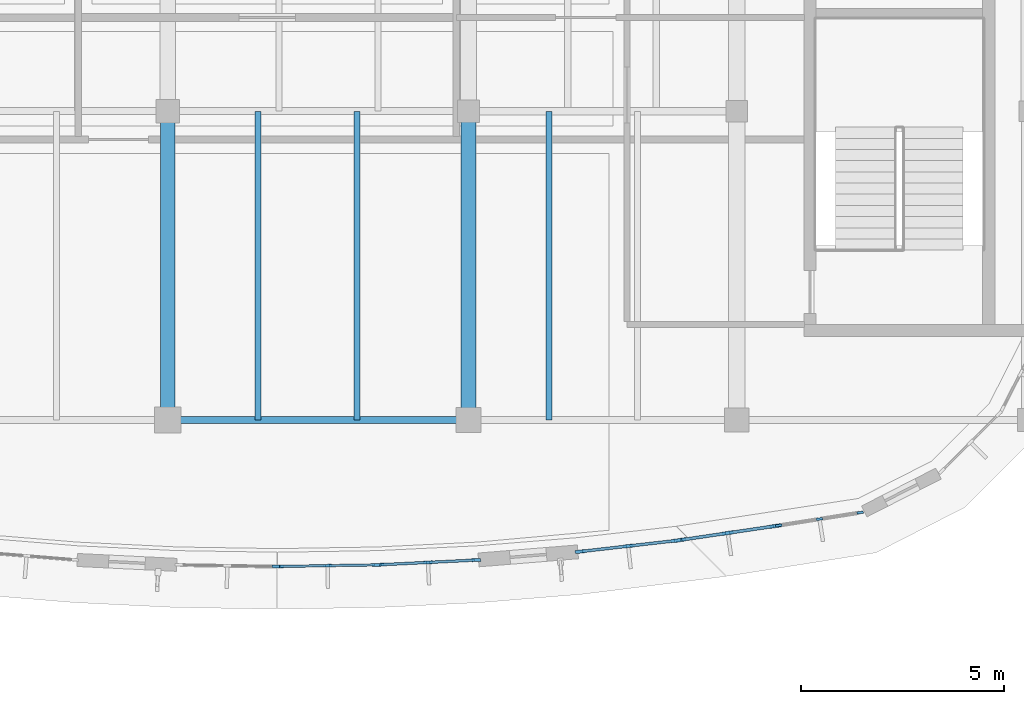
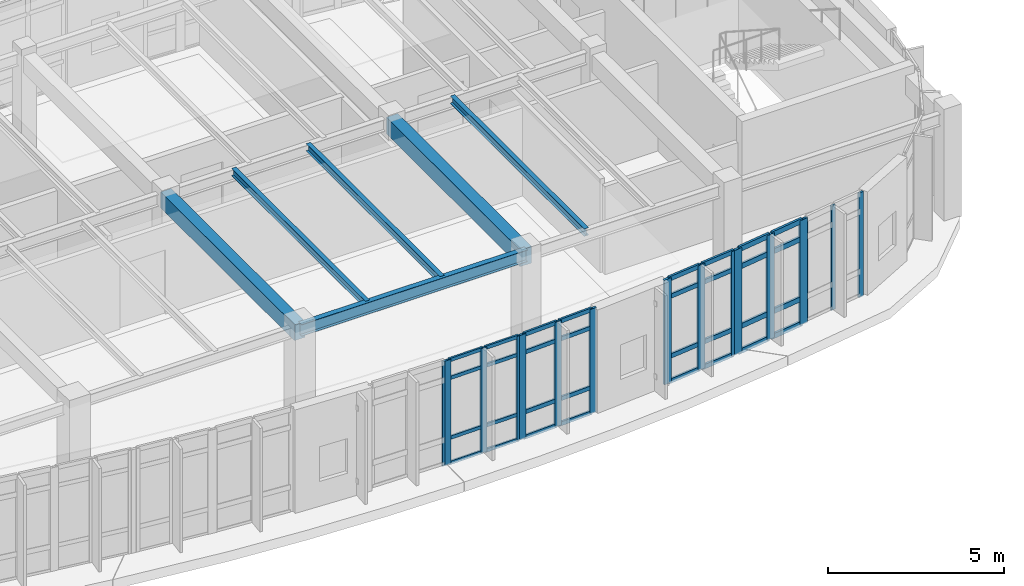
# One storey, part 29 of 111: 48 members, 6 beams, 6 elements without a shape of their own.
"""IFC4 building model written with IfcOpenShell, lengths in metres."""

import ifcopenshell
import ifcopenshell.guid

model = None  # the IFC model being written
_history = None  # IfcOwnerHistory: only IFC2X3 demands one
_inside = {}  # id of a spatial element -> (the spatial element, [elements in it])
_under = {}  # id of a project, library or spatial element -> (it, [spatial elements below it])
_declared = {}  # id of a project -> (the project, [libraries it declares])
_typed = {}  # id of a type object -> (the type object, [elements of that type])
_made_of = {}  # id of a material, layer set ... -> (it, [elements and type objects made of it])


def new_model(schema):
    """Start an empty IFC model of exactly this schema.

    Asked for "IFC4X3", IfcOpenShell would pick the latest addendum, in which some entities
    have other attributes; the version numbers below select the first issue.
    IFC2X3 requires an IfcOwnerHistory on every rooted entity: one is made here for all.
    """
    global model, _history
    if schema == "IFC4X3":
        model = ifcopenshell.file(schema_version=(4, 3, 0, 0))
    else:
        model = ifcopenshell.file(schema=schema)
    _inside.clear()
    _under.clear()
    _declared.clear()
    _typed.clear()
    _made_of.clear()
    _history = None
    if model.schema == "IFC2X3":
        org = make("IfcOrganization", Name="unknown")
        user = make(
            "IfcPersonAndOrganization",
            ThePerson=make("IfcPerson", FamilyName="unknown"),
            TheOrganization=org,
        )
        app = make(
            "IfcApplication",
            ApplicationDeveloper=org,
            Version="unknown",
            ApplicationFullName="unknown",
            ApplicationIdentifier="unknown",
        )
        _history = make(
            "IfcOwnerHistory",
            OwningUser=user,
            OwningApplication=app,
            ChangeAction="ADDED",
            CreationDate=0,
        )
    return model


def make(cls, **values):
    """One entity of the class cls with the attributes given. An attribute that is None is left unset."""
    return model.create_entity(
        cls, **{name: value for name, value in values.items() if value is not None}
    )


def rooted(cls, **values):
    """An entity with a GlobalId (a new one), such as an element, a storey or a relation."""
    return make(cls, GlobalId=ifcopenshell.guid.new(), OwnerHistory=_history, **values)


def si_unit(unit_type, name, prefix=None):
    """IfcSIUnit, for example si_unit("LENGTHUNIT", "METRE", prefix="MILLI")."""
    return make("IfcSIUnit", UnitType=unit_type, Prefix=prefix, Name=name)


def assignment(units):
    """IfcUnitAssignment: the units of a project."""
    return None if units is None else make("IfcUnitAssignment", Units=units)


def point(xyz):
    """IfcCartesianPoint."""
    return None if xyz is None else make("IfcCartesianPoint", Coordinates=xyz)


def direction(xyz):
    """IfcDirection."""
    return None if xyz is None else make("IfcDirection", DirectionRatios=xyz)


def frame(location, z_axis=None, x_axis=None):
    """IfcAxis2Placement3D, a coordinate frame: its origin and axes. An axis left out is left unset."""
    return make(
        "IfcAxis2Placement3D",
        Location=point(location),
        Axis=direction(z_axis),
        RefDirection=direction(x_axis),
    )


def frame_2d(location, x_axis=None):
    """IfcAxis2Placement2D, a coordinate frame in the plane: its origin and x axis."""
    return make(
        "IfcAxis2Placement2D", Location=point(location), RefDirection=direction(x_axis)
    )


def origin():
    """The frame at (0, 0, 0) with its axes left unset."""
    return frame((0.0, 0.0, 0.0))


def origin_2d():
    """The frame at (0, 0) in the plane with its x axis left unset."""
    return frame_2d((0.0, 0.0))


def place(relative_to, where):
    """IfcLocalPlacement: puts the frame where relative to a parent placement (None: the world)."""
    return make(
        "IfcLocalPlacement", PlacementRelTo=relative_to, RelativePlacement=where
    )


def context(
    kind, dimensions, precision=None, world=None, true_north=None, identifier=None
):
    """IfcGeometricRepresentationContext, for example the 3D "Model" context."""
    return make(
        "IfcGeometricRepresentationContext",
        ContextIdentifier=identifier,
        ContextType=kind,
        CoordinateSpaceDimension=dimensions,
        Precision=precision,
        WorldCoordinateSystem=world,
        TrueNorth=true_north,
    )


def subcontext(parent, identifier, kind, view, scale=None):
    """IfcGeometricRepresentationSubContext, for example "Body" below "Model"."""
    return make(
        "IfcGeometricRepresentationSubContext",
        ContextIdentifier=identifier,
        ContextType=kind,
        ParentContext=parent,
        TargetScale=scale,
        TargetView=view,
    )


def project(units=None, contexts=None):
    """IfcProject with its units and contexts."""
    return rooted(
        "IfcProject",
        Name="project",
        RepresentationContexts=contexts,
        UnitsInContext=assignment(units),
    )


def spatial(cls, under=None, at=None, **own):
    """A site, building, storey or space (cls), placed at a placement, below another one or the project."""
    s = rooted(cls, ObjectPlacement=at, **own)
    if under is not None:
        _under.setdefault(under.id(), (under, []))[1].append(s)
    return s


def profile(cls, at=None, kind="AREA", **sizes):
    """A parametric profile (cls). Its sizes go by their IFC names, for example OverallWidth=200.0."""
    return make(cls, ProfileType=kind, Position=at, **sizes)


def rectangle(**sizes):
    """IfcRectangleProfileDef."""
    return profile("IfcRectangleProfileDef", **sizes)


def i_section(**sizes):
    """IfcIShapeProfileDef."""
    return profile("IfcIShapeProfileDef", **sizes)


def extrude(swept, where, along, depth):
    """IfcExtrudedAreaSolid: the profile swept, set in the frame where, extruded along a direction by depth."""
    return make(
        "IfcExtrudedAreaSolid",
        SweptArea=swept,
        Position=where,
        ExtrudedDirection=direction(along),
        Depth=depth,
    )


def shape(context_of_items, identifier, shape_type, items):
    """IfcShapeRepresentation: the items that make up one representation, for example the "Body"."""
    return make(
        "IfcShapeRepresentation",
        ContextOfItems=context_of_items,
        RepresentationIdentifier=identifier,
        RepresentationType=shape_type,
        Items=items,
    )


def material(Name=None, Category=None):
    """IfcMaterial."""
    return make("IfcMaterial", Name=Name, Category=Category)


def material_profile(
    of_material, cross_section, Name=None, Category=None, Priority=None
):
    """IfcMaterialProfile: a cross section and its material."""
    return make(
        "IfcMaterialProfile",
        Name=Name,
        Material=of_material,
        Profile=cross_section,
        Priority=Priority,
        Category=Category,
    )


def profile_set(profiles, Name=None, composite=None):
    """IfcMaterialProfileSet."""
    return make(
        "IfcMaterialProfileSet",
        Name=Name,
        MaterialProfiles=profiles,
        CompositeProfile=composite,
    )


def made_of(thing, what):
    """Note that an element or type object is made of a material, layer set ...; save() writes the relation."""
    if what is not None:
        _made_of.setdefault(what.id(), (what, []))[1].append(thing)
    return thing


def type_object(cls, material=None, **own):
    """A type object (cls), such as IfcWallType, which elements share."""
    return made_of(rooted(cls, **own), material)


def element(
    cls,
    number,
    at=None,
    inside=None,
    cuts=None,
    type_object=None,
    material=None,
    context=None,
    identifier="Body",
    shape_type=None,
    held_by="IfcProductDefinitionShape",
    body=None,
    shapes=None,
    **own,
):
    """One element of the class cls, such as IfcWall. Its Tag is "e" and its number.

    at: its placement. inside: the storey or other place that contains it. cuts: it is an
    opening in that element (IfcRelVoidsElement). A single representation is given by context,
    identifier, shape_type and body (its items); several are given by shapes. held_by: the class
    of the entity that holds the representations. save() writes the other relations.
    """
    e = rooted(cls, Tag="e%d" % number, ObjectPlacement=at, **own)
    if body is not None:
        shapes = [shape(context, identifier, shape_type, body)]
    if shapes is not None:
        e.Representation = make(held_by, Representations=shapes)
    if inside is not None:
        _inside.setdefault(inside.id(), (inside, []))[1].append(e)
    if cuts is not None:
        rooted(
            "IfcRelVoidsElement", RelatingBuildingElement=cuts, RelatedOpeningElement=e
        )
    if type_object is not None:
        _typed.setdefault(type_object.id(), (type_object, []))[1].append(e)
    return made_of(e, material)


def aggregate(whole, parts):
    """IfcRelAggregates: a whole, such as a stair, and the parts it consists of."""
    return rooted("IfcRelAggregates", RelatingObject=whole, RelatedObjects=parts)


def save(model, path):
    """Write the relations noted so far, then the file.

    IfcRelAggregates (storeys below a building ...), IfcRelContainedInSpatialStructure (elements
    in a storey), IfcRelDefinesByType, IfcRelAssociatesMaterial and IfcRelDeclares: one each for
    every whole, place, type object, material and project.
    """
    for whole, parts in _under.values():
        aggregate(whole, parts)
    for where, things in _inside.values():
        rooted(
            "IfcRelContainedInSpatialStructure",
            RelatedElements=things,
            RelatingStructure=where,
        )
    for kind, things in _typed.values():
        rooted("IfcRelDefinesByType", RelatedObjects=things, RelatingType=kind)
    for what, things in _made_of.values():
        rooted("IfcRelAssociatesMaterial", RelatedObjects=things, RelatingMaterial=what)
    for by, libraries in _declared.values():
        rooted("IfcRelDeclares", RelatingContext=by, RelatedDefinitions=libraries)
    model.write(path)


model = new_model("IFC4")

# Units and contexts
model_context = context("Model", 3, precision=1e-05, world=origin(), true_north=direction((0.0, 1.0)))
body_context = subcontext(model_context, "Body", "Model", "MODEL_VIEW")
ifc_project = project(units=[si_unit("LENGTHUNIT", "METRE"), si_unit("AREAUNIT", "SQUARE_METRE"), si_unit("VOLUMEUNIT", "CUBIC_METRE"), si_unit("PLANEANGLEUNIT", "RADIAN"), si_unit("MASSUNIT", "GRAM", prefix="KILO")], contexts=[model_context])

# Site, building, storey
site_placement = place(None, origin())
site = spatial("IfcSite", under=ifc_project, at=site_placement, CompositionType="ELEMENT")
building_placement = place(site_placement, origin())
building = spatial("IfcBuilding", under=site, at=building_placement, Name="Corveleigh Park Community Centre", CompositionType="ELEMENT")
storey_placement = place(building_placement, frame((0.0, 0.0, 4.800048828125)))
storey = spatial("IfcBuildingStorey", under=building, at=storey_placement, Name="L01", CompositionType="ELEMENT", Elevation=4.800048828125)

# Beams
ifc_material_1 = material(Name="Concrete C40/50", Category="concrete")
ifc_material_profile_1 = material_profile(ifc_material_1, rectangle(XDim=0.35009765625, YDim=0.550048828125, at=origin_2d()), Name="RC-350x550", Category="concrete")
ifc_profile_set_1 = profile_set([ifc_material_profile_1], Name="Concrete C40/50")
beam_type_1 = type_object("IfcBeamType", Name="BM-RC-350x550", PredefinedType="BEAM", material=ifc_profile_set_1)
beam_1_placement = place(storey_placement, frame((86.800048828125, 11.205078125, 3.3818359375), z_axis=(0.0, 1.0, 0.0), x_axis=(-1.0, 0.0, 0.0)))
element("IfcBeam", 1, at=beam_1_placement, inside=storey, type_object=beam_type_1, Name="V3 Girder Y", PredefinedType="BEAM", context=body_context, shape_type="SweptSolid", body=[
    extrude(rectangle(XDim=0.35009765625, YDim=0.550048828125, at=origin_2d()), origin(), (0.0, 0.0, 1.0), 7.58984375),
])
ifc_material_profile_2 = material_profile(ifc_material_1, rectangle(XDim=0.375, YDim=0.574951171875, at=origin_2d()), Name="RC-375x575", Category="concrete")
ifc_profile_set_2 = profile_set([ifc_material_profile_2], Name="Concrete C40/50")
beam_type_2 = type_object("IfcBeamType", Name="BM-RC-375x575", PredefinedType="BEAM", material=ifc_profile_set_2)
beam_2_placement = place(storey_placement, frame((94.199951171875, 11.205078125, 3.369384765625), z_axis=(0.0, 1.0, 0.0), x_axis=(-1.0, 0.0, 0.0)))
element("IfcBeam", 2, at=beam_2_placement, inside=storey, type_object=beam_type_2, Name="V3 Girder Y", PredefinedType="BEAM", context=body_context, shape_type="SweptSolid", body=[
    extrude(rectangle(XDim=0.375, YDim=0.574951171875, at=origin_2d()), origin(), (0.0, 0.0, 1.0), 7.58984375),
])
ifc_material_2 = material(Name="Steel S355", Category="steel")
ifc_material_profile_3 = material_profile(ifc_material_2, i_section(OverallWidth=0.146484375, OverallDepth=0.256103515625, WebThickness=0.00634765625, FlangeThickness=0.010986328125, at=origin_2d()), Name="UKB 254x146x37", Category="steel")
ifc_profile_set_3 = profile_set([ifc_material_profile_3], Name="Steel S355")
beam_type_3 = type_object("IfcBeamType", Name="BM-STL-UKB254x37", PredefinedType="JOIST", material=ifc_profile_set_3)
for number, where, z_axis, x_axis, name in (
    (3, (89.02001953125, 11.205078125, 3.529052734375), (0.0, 1.0, 0.0), (-1.0, 0.0, 0.0), "Secondary floor joist"),
    (4, (91.4619140625, 11.205078125, 3.529052734375), (0.0, 1.0, 0.0), (-1.0, 0.0, 0.0), "Secondary floor joist"),
):
    element("IfcBeam", number, at=place(storey_placement, frame(where, z_axis=z_axis, x_axis=x_axis)), inside=storey, type_object=beam_type_3, Name=name, PredefinedType="JOIST", context=body_context, shape_type="SweptSolid", body=[
        extrude(i_section(OverallWidth=0.146484375, OverallDepth=0.256103515625, WebThickness=0.00634765625, FlangeThickness=0.010986328125, at=origin_2d()), origin(), (0.0, 0.0, 1.0), 7.58984375),
    ])
ifc_material_profile_4 = material_profile(ifc_material_2, i_section(OverallWidth=0.147216796875, OverallDepth=0.259521484375, WebThickness=0.007080078125, FlangeThickness=0.0126953125, at=origin_2d()), Name="UKB 254x146x43", Category="steel")
ifc_profile_set_4 = profile_set([ifc_material_profile_4], Name="Steel S355")
beam_type_4 = type_object("IfcBeamType", Name="BM-STL-UKB254x43", PredefinedType="JOIST", material=ifc_profile_set_4)
beam_3_placement = place(storey_placement, frame((96.179931640625, 11.205078125, 3.527099609375), z_axis=(0.0, 1.0, 0.0), x_axis=(-1.0, 0.0, 0.0)))
element("IfcBeam", 5, at=beam_3_placement, inside=storey, type_object=beam_type_4, Name="Secondary floor joist", PredefinedType="JOIST", context=body_context, shape_type="SweptSolid", body=[
    extrude(i_section(OverallWidth=0.147216796875, OverallDepth=0.259521484375, WebThickness=0.007080078125, FlangeThickness=0.0126953125, at=origin_2d()), origin(), (0.0, 0.0, 1.0), 7.58984375),
])
ifc_material_profile_5 = material_profile(ifc_material_2, i_section(OverallWidth=0.177978515625, OverallDepth=0.406494140625, WebThickness=0.0078125, FlangeThickness=0.0126953125, at=origin_2d()), Name="UKB 406x178x60", Category="steel")
ifc_profile_set_5 = profile_set([ifc_material_profile_5], Name="Steel S355")
beam_type_5 = type_object("IfcBeamType", Name="BM-STL-UKB406x60", PredefinedType="BEAM", material=ifc_profile_set_5)
beam_4_placement = place(storey_placement, frame((86.804931640625, 11.199951171875, 3.453857421875), z_axis=(1.0, 0.0, 0.0), x_axis=(0.0, 1.0, 0.0)))
element("IfcBeam", 6, at=beam_4_placement, inside=storey, type_object=beam_type_5, Name="V3 Girder X", PredefinedType="BEAM", context=body_context, shape_type="SweptSolid", body=[
    extrude(i_section(OverallWidth=0.177978515625, OverallDepth=0.406494140625, WebThickness=0.0078125, FlangeThickness=0.0126953125, at=origin_2d()), origin(), (0.0, 0.0, 1.0), 7.39013671875),
])

# Curtain wall, members
ifc_material_3 = material(Name="Anodised aluminium 6063-T6", Category="aluminium")
curtain_wall_type = type_object("IfcCurtainWallType", Name="CW-SYS-V3-UPP", PredefinedType="NOTDEFINED", material=ifc_material_3)
curtain_wall_1_placement = place(storey_placement, origin())
curtain_wall_1 = element("IfcCurtainWall", 7, at=curtain_wall_1_placement, inside=storey, type_object=curtain_wall_type, Name="V3 L01 Curtain Wall 235", PredefinedType="NOTDEFINED")
ifc_material_profile_6 = material_profile(ifc_material_3, rectangle(XDim=0.06005859375, YDim=0.159912109375, at=origin_2d()), Name="ALU-M60x160", Category="aluminium")
ifc_profile_set_6 = profile_set([ifc_material_profile_6], Name="Anodised aluminium 6063-T6")
member_type_1 = type_object("IfcMemberType", Name="CWM-60x160", PredefinedType="MULLION", material=ifc_profile_set_6)
member_1_placement = place(storey_placement, frame((103.833251953125, 8.92236328125, 0.0), z_axis=(0.0, 0.0, 1.0), x_axis=(0.156603912946, -0.987661487783, 0.0)))
member_1 = element("IfcMember", 8, at=member_1_placement, type_object=member_type_1, Name="CW06 mullion 1", PredefinedType="MULLION", context=body_context, shape_type="SweptSolid", body=[
    extrude(rectangle(XDim=0.06005859375, YDim=0.159912109375, at=origin_2d()), origin(), (0.0, 0.0, 1.0), 3.619873046875),
])
member_2_placement = place(storey_placement, frame((102.8349609375, 8.763916015625, 0.0), z_axis=(0.0, 0.0, 1.0), x_axis=(0.156603912946, -0.987661487783, 0.0)))
member_2 = element("IfcMember", 9, at=member_2_placement, type_object=member_type_1, Name="CW06 mullion 2", PredefinedType="MULLION", context=body_context, shape_type="SweptSolid", body=[
    extrude(rectangle(XDim=0.06005859375, YDim=0.159912109375, at=origin_2d()), origin(), (0.0, 0.0, 1.0), 3.619873046875),
])
member_3_placement = place(storey_placement, frame((101.836669921875, 8.605712890625, 0.0), z_axis=(0.0, 0.0, 1.0), x_axis=(0.156603912946, -0.987661487783, 0.0)))
member_3 = element("IfcMember", 10, at=member_3_placement, type_object=member_type_1, Name="CW06 mullion 3", PredefinedType="MULLION", context=body_context, shape_type="SweptSolid", body=[
    extrude(rectangle(XDim=0.06005859375, YDim=0.159912109375, at=origin_2d()), origin(), (0.0, 0.0, 1.0), 3.619873046875),
])
aggregate(curtain_wall_1, [member_1, member_2, member_3])

# Curtain wall, member
curtain_wall_2_placement = place(storey_placement, origin())
curtain_wall_2 = element("IfcCurtainWall", 11, at=curtain_wall_2_placement, inside=storey, type_object=curtain_wall_type, Name="V3 L01 Curtain Wall 230", PredefinedType="NOTDEFINED")
ifc_material_profile_7 = material_profile(ifc_material_3, rectangle(XDim=0.06494140625, YDim=0.179931640625, at=origin_2d()), Name="ALU-M65x180", Category="aluminium")
ifc_profile_set_7 = profile_set([ifc_material_profile_7], Name="Anodised aluminium 6063-T6")
member_type_2 = type_object("IfcMemberType", Name="CWM-65x180", PredefinedType="MULLION", material=ifc_profile_set_7)
member_4_placement = place(storey_placement, frame((89.45849609375, 7.597412109375, 0.0), z_axis=(0.0, 0.0, 1.0), x_axis=(-0.016311043488, -0.999866966081, 0.0)))
member_4 = element("IfcMember", 12, at=member_4_placement, type_object=member_type_2, Name="CW06 mullion 1", PredefinedType="MULLION", context=body_context, shape_type="SweptSolid", body=[
    extrude(rectangle(XDim=0.06494140625, YDim=0.179931640625, at=origin_2d()), origin(), (0.0, 0.0, 1.0), 3.619873046875),
])
aggregate(curtain_wall_2, [member_4])

# Curtain wall, members
curtain_wall_3_placement = place(storey_placement, origin())
curtain_wall_3 = element("IfcCurtainWall", 13, at=curtain_wall_3_placement, inside=storey, type_object=curtain_wall_type, Name="V3 L01 Curtain Wall 231", PredefinedType="NOTDEFINED")
ifc_material_profile_8 = material_profile(ifc_material_3, rectangle(XDim=0.070068359375, YDim=0.199951171875, at=origin_2d()), Name="ALU-M70x200", Category="aluminium")
ifc_profile_set_8 = profile_set([ifc_material_profile_8], Name="Anodised aluminium 6063-T6")
member_type_3 = type_object("IfcMemberType", Name="CWM-70x200", PredefinedType="MULLION", material=ifc_profile_set_8)
member_5_placement = place(storey_placement, frame((91.926025390625, 7.636474609375, 0.0), z_axis=(0.0, 0.0, 1.0), x_axis=(0.016311043488, -0.999866966081, 0.0)))
member_5 = element("IfcMember", 14, at=member_5_placement, type_object=member_type_3, Name="CW06 mullion 1", PredefinedType="MULLION", context=body_context, shape_type="SweptSolid", body=[
    extrude(rectangle(XDim=0.070068359375, YDim=0.199951171875, at=origin_2d()), origin(), (0.0, 0.0, 1.0), 3.619873046875),
])
member_6_placement = place(storey_placement, frame((90.735107421875, 7.616943359375, 0.0), z_axis=(0.0, 0.0, 1.0), x_axis=(0.016311043488, -0.999866966081, 0.0)))
member_6 = element("IfcMember", 15, at=member_6_placement, type_object=member_type_3, Name="CW06 mullion 2", PredefinedType="MULLION", context=body_context, shape_type="SweptSolid", body=[
    extrude(rectangle(XDim=0.070068359375, YDim=0.199951171875, at=origin_2d()), origin(), (0.0, 0.0, 1.0), 3.619873046875),
])
member_7_placement = place(storey_placement, frame((89.5439453125, 7.59765625, 0.0), z_axis=(0.0, 0.0, 1.0), x_axis=(0.016311043488, -0.999866966081, 0.0)))
member_7 = element("IfcMember", 16, at=member_7_placement, type_object=member_type_3, Name="CW06 mullion 3", PredefinedType="MULLION", context=body_context, shape_type="SweptSolid", body=[
    extrude(rectangle(XDim=0.070068359375, YDim=0.199951171875, at=origin_2d()), origin(), (0.0, 0.0, 1.0), 3.619873046875),
])

curtain_wall_4_placement = place(storey_placement, origin())
curtain_wall_4 = element("IfcCurtainWall", 17, at=curtain_wall_4_placement, inside=storey, type_object=curtain_wall_type, Name="V3 L01 Curtain Wall 232", PredefinedType="NOTDEFINED")
ifc_material_profile_9 = material_profile(ifc_material_3, rectangle(XDim=0.074951171875, YDim=0.219970703125, at=origin_2d()), Name="ALU-M75x220", Category="aluminium")
ifc_profile_set_9 = profile_set([ifc_material_profile_9], Name="Anodised aluminium 6063-T6")
member_type_4 = type_object("IfcMemberType", Name="CWM-75x220", PredefinedType="MULLION", material=ifc_profile_set_9)
member_8_placement = place(storey_placement, frame((94.3916015625, 7.755126953125, 0.0), z_axis=(0.0, 0.0, 1.0), x_axis=(0.048920946301, -0.998802653687, 0.0)))
member_8 = element("IfcMember", 18, at=member_8_placement, type_object=member_type_4, Name="CW06 mullion 1", PredefinedType="MULLION", context=body_context, shape_type="SweptSolid", body=[
    extrude(rectangle(XDim=0.074951171875, YDim=0.219970703125, at=origin_2d()), origin(), (0.0, 0.0, 1.0), 3.619873046875),
])
member_9_placement = place(storey_placement, frame((93.2041015625, 7.697021484375, 0.0), z_axis=(0.0, 0.0, 1.0), x_axis=(0.048920946301, -0.998802653687, 0.0)))
member_9 = element("IfcMember", 19, at=member_9_placement, type_object=member_type_4, Name="CW06 mullion 2", PredefinedType="MULLION", context=body_context, shape_type="SweptSolid", body=[
    extrude(rectangle(XDim=0.074951171875, YDim=0.219970703125, at=origin_2d()), origin(), (0.0, 0.0, 1.0), 3.619873046875),
])
member_10_placement = place(storey_placement, frame((92.016357421875, 7.638916015625, 0.0), z_axis=(0.0, 0.0, 1.0), x_axis=(0.048920946301, -0.998802653687, 0.0)))
member_10 = element("IfcMember", 20, at=member_10_placement, type_object=member_type_4, Name="CW06 mullion 3", PredefinedType="MULLION", context=body_context, shape_type="SweptSolid", body=[
    extrude(rectangle(XDim=0.074951171875, YDim=0.219970703125, at=origin_2d()), origin(), (0.0, 0.0, 1.0), 3.619873046875),
])

curtain_wall_5_placement = place(storey_placement, origin())
curtain_wall_5 = element("IfcCurtainWall", 21, at=curtain_wall_5_placement, inside=storey, type_object=curtain_wall_type, Name="V3 L01 Curtain Wall 233", PredefinedType="NOTDEFINED")
ifc_material_profile_10 = material_profile(ifc_material_3, rectangle(XDim=0.080078125, YDim=0.25, at=origin_2d()), Name="ALU-M80x250", Category="aluminium")
ifc_profile_set_10 = profile_set([ifc_material_profile_10], Name="Anodised aluminium 6063-T6")
member_type_5 = type_object("IfcMemberType", Name="CWM-80x250", PredefinedType="MULLION", material=ifc_profile_set_10)
member_11_placement = place(storey_placement, frame((99.307373046875, 8.2333984375, 0.0), z_axis=(0.0, 0.0, 1.0), x_axis=(0.113742050835, -0.99351031493, 0.0)))
member_11 = element("IfcMember", 22, at=member_11_placement, type_object=member_type_5, Name="CW06 mullion 1", PredefinedType="MULLION", context=body_context, shape_type="SweptSolid", body=[
    extrude(rectangle(XDim=0.080078125, YDim=0.25, at=origin_2d()), origin(), (0.0, 0.0, 1.0), 3.619873046875),
])
member_12_placement = place(storey_placement, frame((98.12841796875, 8.098388671875, 0.0), z_axis=(0.0, 0.0, 1.0), x_axis=(0.113742050835, -0.99351031493, 0.0)))
member_12 = element("IfcMember", 23, at=member_12_placement, type_object=member_type_5, Name="CW06 mullion 2", PredefinedType="MULLION", context=body_context, shape_type="SweptSolid", body=[
    extrude(rectangle(XDim=0.080078125, YDim=0.25, at=origin_2d()), origin(), (0.0, 0.0, 1.0), 3.619873046875),
])
member_13_placement = place(storey_placement, frame((96.94970703125, 7.963623046875, 0.0), z_axis=(0.0, 0.0, 1.0), x_axis=(0.113742050835, -0.99351031493, 0.0)))
member_13 = element("IfcMember", 24, at=member_13_placement, type_object=member_type_5, Name="CW06 mullion 3", PredefinedType="MULLION", context=body_context, shape_type="SweptSolid", body=[
    extrude(rectangle(XDim=0.080078125, YDim=0.25, at=origin_2d()), origin(), (0.0, 0.0, 1.0), 3.619873046875),
])

curtain_wall_6_placement = place(storey_placement, origin())
curtain_wall_6 = element("IfcCurtainWall", 25, at=curtain_wall_6_placement, inside=storey, type_object=curtain_wall_type, Name="V3 L01 Curtain Wall 234", PredefinedType="NOTDEFINED")
ifc_material_profile_11 = material_profile(ifc_material_3, rectangle(XDim=0.0849609375, YDim=0.27490234375, at=origin_2d()), Name="ALU-M85x275", Category="aluminium")
ifc_profile_set_11 = profile_set([ifc_material_profile_11], Name="Anodised aluminium 6063-T6")
member_type_6 = type_object("IfcMemberType", Name="CWM-85x275", PredefinedType="MULLION", material=ifc_profile_set_11)
member_14_placement = place(storey_placement, frame((101.7509765625, 8.5927734375, 0.0), z_axis=(0.0, 0.0, 1.0), x_axis=(0.146268101327, -0.989244986105, 0.0)))
member_14 = element("IfcMember", 26, at=member_14_placement, type_object=member_type_6, Name="CW06 mullion 1", PredefinedType="MULLION", context=body_context, shape_type="SweptSolid", body=[
    extrude(rectangle(XDim=0.0849609375, YDim=0.27490234375, at=origin_2d()), origin(), (0.0, 0.0, 1.0), 3.619873046875),
])
member_15_placement = place(storey_placement, frame((100.5791015625, 8.41943359375, 0.0), z_axis=(0.0, 0.0, 1.0), x_axis=(0.146268101327, -0.989244986105, 0.0)))
member_15 = element("IfcMember", 27, at=member_15_placement, type_object=member_type_6, Name="CW06 mullion 2", PredefinedType="MULLION", context=body_context, shape_type="SweptSolid", body=[
    extrude(rectangle(XDim=0.0849609375, YDim=0.27490234375, at=origin_2d()), origin(), (0.0, 0.0, 1.0), 3.619873046875),
])
member_16_placement = place(storey_placement, frame((99.406982421875, 8.246337890625, 0.0), z_axis=(0.0, 0.0, 1.0), x_axis=(0.146268101327, -0.989244986105, 0.0)))
member_16 = element("IfcMember", 28, at=member_16_placement, type_object=member_type_6, Name="CW06 mullion 3", PredefinedType="MULLION", context=body_context, shape_type="SweptSolid", body=[
    extrude(rectangle(XDim=0.0849609375, YDim=0.27490234375, at=origin_2d()), origin(), (0.0, 0.0, 1.0), 3.619873046875),
])

# Member
ifc_material_profile_12 = material_profile(ifc_material_3, rectangle(XDim=0.06005859375, YDim=0.1201171875, at=origin_2d()), Name="ALU-T60x120", Category="aluminium")
ifc_profile_set_12 = profile_set([ifc_material_profile_12], Name="Anodised aluminium 6063-T6")
member_type_7 = type_object("IfcMemberType", Name="CWT-60x120", PredefinedType="USERDEFINED", material=ifc_profile_set_12)
member_17_placement = place(storey_placement, frame((91.89111328125, 7.6357421875, 0.030029296875), z_axis=(-0.999870178953, -0.016112890514, 0.0), x_axis=(0.016112890514, -0.999870178953, 0.0)))
member_17 = element("IfcMember", 29, at=member_17_placement, type_object=member_type_7, Name="CW06 transom 1.1", ObjectType="TRANSOM", PredefinedType="USERDEFINED", context=body_context, shape_type="SweptSolid", body=[
    extrude(rectangle(XDim=0.06005859375, YDim=0.1201171875, at=origin_2d()), origin(), (0.0, 0.0, 1.0), 1.121337890625),
])

member_18_placement = place(storey_placement, frame((91.89111328125, 7.6357421875, 0.89990234375), z_axis=(-0.999870178953, -0.016112890514, 0.0), x_axis=(0.016112890514, -0.999870178953, 0.0)))
member_18 = element("IfcMember", 30, at=member_18_placement, type_object=member_type_7, Name="CW06 transom 1.2", ObjectType="TRANSOM", PredefinedType="USERDEFINED", context=body_context, shape_type="SweptSolid", body=[
    extrude(rectangle(XDim=0.06005859375, YDim=0.1201171875, at=origin_2d()), origin(), (0.0, 0.0, 1.0), 1.121337890625),
])

member_19_placement = place(storey_placement, frame((91.89111328125, 7.6357421875, 2.969970703125), z_axis=(-0.999870178953, -0.016112890514, 0.0), x_axis=(0.016112890514, -0.999870178953, 0.0)))
member_19 = element("IfcMember", 31, at=member_19_placement, type_object=member_type_7, Name="CW06 transom 1.3", ObjectType="TRANSOM", PredefinedType="USERDEFINED", context=body_context, shape_type="SweptSolid", body=[
    extrude(rectangle(XDim=0.06005859375, YDim=0.1201171875, at=origin_2d()), origin(), (0.0, 0.0, 1.0), 1.121337890625),
])

member_20_placement = place(storey_placement, frame((91.89111328125, 7.6357421875, 3.58984375), z_axis=(-0.999870178953, -0.016112890514, 0.0), x_axis=(0.016112890514, -0.999870178953, 0.0)))
member_20 = element("IfcMember", 32, at=member_20_placement, type_object=member_type_7, Name="CW06 transom 1.4", ObjectType="TRANSOM", PredefinedType="USERDEFINED", context=body_context, shape_type="SweptSolid", body=[
    extrude(rectangle(XDim=0.06005859375, YDim=0.1201171875, at=origin_2d()), origin(), (0.0, 0.0, 1.0), 1.121337890625),
])

member_21_placement = place(storey_placement, frame((90.699951171875, 7.616455078125, 0.030029296875), z_axis=(-0.999866589187, -0.016334130732, 0.0), x_axis=(0.016334130732, -0.999866589187, 0.0)))
member_21 = element("IfcMember", 33, at=member_21_placement, type_object=member_type_7, Name="CW06 transom 2.1", ObjectType="TRANSOM", PredefinedType="USERDEFINED", context=body_context, shape_type="SweptSolid", body=[
    extrude(rectangle(XDim=0.06005859375, YDim=0.1201171875, at=origin_2d()), origin(), (0.0, 0.0, 1.0), 1.12109375),
])

member_22_placement = place(storey_placement, frame((90.699951171875, 7.616455078125, 0.89990234375), z_axis=(-0.999866589187, -0.016334130732, 0.0), x_axis=(0.016334130732, -0.999866589187, 0.0)))
member_22 = element("IfcMember", 34, at=member_22_placement, type_object=member_type_7, Name="CW06 transom 2.2", ObjectType="TRANSOM", PredefinedType="USERDEFINED", context=body_context, shape_type="SweptSolid", body=[
    extrude(rectangle(XDim=0.06005859375, YDim=0.1201171875, at=origin_2d()), origin(), (0.0, 0.0, 1.0), 1.12109375),
])

member_23_placement = place(storey_placement, frame((90.699951171875, 7.616455078125, 2.969970703125), z_axis=(-0.999866589187, -0.016334130732, 0.0), x_axis=(0.016334130732, -0.999866589187, 0.0)))
member_23 = element("IfcMember", 35, at=member_23_placement, type_object=member_type_7, Name="CW06 transom 2.3", ObjectType="TRANSOM", PredefinedType="USERDEFINED", context=body_context, shape_type="SweptSolid", body=[
    extrude(rectangle(XDim=0.06005859375, YDim=0.1201171875, at=origin_2d()), origin(), (0.0, 0.0, 1.0), 1.12109375),
])

member_24_placement = place(storey_placement, frame((90.699951171875, 7.616455078125, 3.58984375), z_axis=(-0.999866589187, -0.016334130732, 0.0), x_axis=(0.016334130732, -0.999866589187, 0.0)))
member_24 = element("IfcMember", 36, at=member_24_placement, type_object=member_type_7, Name="CW06 transom 2.4", ObjectType="TRANSOM", PredefinedType="USERDEFINED", context=body_context, shape_type="SweptSolid", body=[
    extrude(rectangle(XDim=0.06005859375, YDim=0.1201171875, at=origin_2d()), origin(), (0.0, 0.0, 1.0), 1.12109375),
])

aggregate(curtain_wall_3, [member_5, member_6, member_7, member_17, member_18, member_19, member_20, member_21, member_22, member_23, member_24])

ifc_material_profile_13 = material_profile(ifc_material_3, rectangle(XDim=0.06494140625, YDim=0.139892578125, at=origin_2d()), Name="ALU-T65x140", Category="aluminium")
ifc_profile_set_13 = profile_set([ifc_material_profile_13], Name="Anodised aluminium 6063-T6")
member_type_8 = type_object("IfcMemberType", Name="CWT-65x140", PredefinedType="USERDEFINED", material=ifc_profile_set_13)
member_25_placement = place(storey_placement, frame((94.35400390625, 7.75341796875, 0.032470703125), z_axis=(-0.998794070725, -0.0490958683, 0.0), x_axis=(0.0490958683, -0.998794070725, 0.0)))
member_25 = element("IfcMember", 37, at=member_25_placement, type_object=member_type_8, Name="CW06 transom 1.1", ObjectType="TRANSOM", PredefinedType="USERDEFINED", context=body_context, shape_type="SweptSolid", body=[
    extrude(rectangle(XDim=0.06494140625, YDim=0.139892578125, at=origin_2d()), origin(), (0.0, 0.0, 1.0), 1.114013671875),
])

member_26_placement = place(storey_placement, frame((94.35400390625, 7.75341796875, 0.89990234375), z_axis=(-0.998794070725, -0.0490958683, 0.0), x_axis=(0.0490958683, -0.998794070725, 0.0)))
member_26 = element("IfcMember", 38, at=member_26_placement, type_object=member_type_8, Name="CW06 transom 1.2", ObjectType="TRANSOM", PredefinedType="USERDEFINED", context=body_context, shape_type="SweptSolid", body=[
    extrude(rectangle(XDim=0.06494140625, YDim=0.139892578125, at=origin_2d()), origin(), (0.0, 0.0, 1.0), 1.114013671875),
])

member_27_placement = place(storey_placement, frame((94.35400390625, 7.75341796875, 2.969970703125), z_axis=(-0.998794070725, -0.0490958683, 0.0), x_axis=(0.0490958683, -0.998794070725, 0.0)))
member_27 = element("IfcMember", 39, at=member_27_placement, type_object=member_type_8, Name="CW06 transom 1.3", ObjectType="TRANSOM", PredefinedType="USERDEFINED", context=body_context, shape_type="SweptSolid", body=[
    extrude(rectangle(XDim=0.06494140625, YDim=0.139892578125, at=origin_2d()), origin(), (0.0, 0.0, 1.0), 1.114013671875),
])

member_28_placement = place(storey_placement, frame((94.35400390625, 7.75341796875, 3.58740234375), z_axis=(-0.998794070725, -0.0490958683, 0.0), x_axis=(0.0490958683, -0.998794070725, 0.0)))
member_28 = element("IfcMember", 40, at=member_28_placement, type_object=member_type_8, Name="CW06 transom 1.4", ObjectType="TRANSOM", PredefinedType="USERDEFINED", context=body_context, shape_type="SweptSolid", body=[
    extrude(rectangle(XDim=0.06494140625, YDim=0.139892578125, at=origin_2d()), origin(), (0.0, 0.0, 1.0), 1.114013671875),
])

member_29_placement = place(storey_placement, frame((93.16650390625, 7.695068359375, 0.032470703125), z_axis=(-0.998804794664, -0.0488772151, 0.0), x_axis=(0.0488772151, -0.998804794664, 0.0)))
member_29 = element("IfcMember", 41, at=member_29_placement, type_object=member_type_8, Name="CW06 transom 2.1", ObjectType="TRANSOM", PredefinedType="USERDEFINED", context=body_context, shape_type="SweptSolid", body=[
    extrude(rectangle(XDim=0.06494140625, YDim=0.139892578125, at=origin_2d()), origin(), (0.0, 0.0, 1.0), 1.11376953125),
])

member_30_placement = place(storey_placement, frame((93.16650390625, 7.695068359375, 0.89990234375), z_axis=(-0.998804794664, -0.0488772151, 0.0), x_axis=(0.0488772151, -0.998804794664, 0.0)))
member_30 = element("IfcMember", 42, at=member_30_placement, type_object=member_type_8, Name="CW06 transom 2.2", ObjectType="TRANSOM", PredefinedType="USERDEFINED", context=body_context, shape_type="SweptSolid", body=[
    extrude(rectangle(XDim=0.06494140625, YDim=0.139892578125, at=origin_2d()), origin(), (0.0, 0.0, 1.0), 1.11376953125),
])

member_31_placement = place(storey_placement, frame((93.16650390625, 7.695068359375, 2.969970703125), z_axis=(-0.998804794664, -0.0488772151, 0.0), x_axis=(0.0488772151, -0.998804794664, 0.0)))
member_31 = element("IfcMember", 43, at=member_31_placement, type_object=member_type_8, Name="CW06 transom 2.3", ObjectType="TRANSOM", PredefinedType="USERDEFINED", context=body_context, shape_type="SweptSolid", body=[
    extrude(rectangle(XDim=0.06494140625, YDim=0.139892578125, at=origin_2d()), origin(), (0.0, 0.0, 1.0), 1.11376953125),
])

member_32_placement = place(storey_placement, frame((93.16650390625, 7.695068359375, 3.58740234375), z_axis=(-0.998804794664, -0.0488772151, 0.0), x_axis=(0.0488772151, -0.998804794664, 0.0)))
member_32 = element("IfcMember", 44, at=member_32_placement, type_object=member_type_8, Name="CW06 transom 2.4", ObjectType="TRANSOM", PredefinedType="USERDEFINED", context=body_context, shape_type="SweptSolid", body=[
    extrude(rectangle(XDim=0.06494140625, YDim=0.139892578125, at=origin_2d()), origin(), (0.0, 0.0, 1.0), 1.11376953125),
])

aggregate(curtain_wall_4, [member_8, member_9, member_10, member_25, member_26, member_27, member_28, member_29, member_30, member_31, member_32])

ifc_material_profile_14 = material_profile(ifc_material_3, rectangle(XDim=0.070068359375, YDim=0.155029296875, at=origin_2d()), Name="ALU-T70x155", Category="aluminium")
ifc_profile_set_14 = profile_set([ifc_material_profile_14], Name="Anodised aluminium 6063-T6")
member_type_9 = type_object("IfcMemberType", Name="CWT-70x155", PredefinedType="USERDEFINED", material=ifc_profile_set_14)
member_33_placement = place(storey_placement, frame((99.267578125, 8.22900390625, 0.034912109375), z_axis=(-0.99349849317, -0.113845263708, 0.0), x_axis=(0.113845263708, -0.99349849317, 0.0)))
member_33 = element("IfcMember", 45, at=member_33_placement, type_object=member_type_9, Name="CW06 transom 1.1", ObjectType="TRANSOM", PredefinedType="USERDEFINED", context=body_context, shape_type="SweptSolid", body=[
    extrude(rectangle(XDim=0.070068359375, YDim=0.155029296875, at=origin_2d()), origin(), (0.0, 0.0, 1.0), 1.1064453125),
])

member_34_placement = place(storey_placement, frame((99.267578125, 8.22900390625, 0.89990234375), z_axis=(-0.99349849317, -0.113845263708, 0.0), x_axis=(0.113845263708, -0.99349849317, 0.0)))
member_34 = element("IfcMember", 46, at=member_34_placement, type_object=member_type_9, Name="CW06 transom 1.2", ObjectType="TRANSOM", PredefinedType="USERDEFINED", context=body_context, shape_type="SweptSolid", body=[
    extrude(rectangle(XDim=0.070068359375, YDim=0.155029296875, at=origin_2d()), origin(), (0.0, 0.0, 1.0), 1.1064453125),
])

member_35_placement = place(storey_placement, frame((99.267578125, 8.22900390625, 2.969970703125), z_axis=(-0.99349849317, -0.113845263708, 0.0), x_axis=(0.113845263708, -0.99349849317, 0.0)))
member_35 = element("IfcMember", 47, at=member_35_placement, type_object=member_type_9, Name="CW06 transom 1.3", ObjectType="TRANSOM", PredefinedType="USERDEFINED", context=body_context, shape_type="SweptSolid", body=[
    extrude(rectangle(XDim=0.070068359375, YDim=0.155029296875, at=origin_2d()), origin(), (0.0, 0.0, 1.0), 1.1064453125),
])

member_36_placement = place(storey_placement, frame((99.267578125, 8.22900390625, 3.5849609375), z_axis=(-0.99349849317, -0.113845263708, 0.0), x_axis=(0.113845263708, -0.99349849317, 0.0)))
member_36 = element("IfcMember", 48, at=member_36_placement, type_object=member_type_9, Name="CW06 transom 1.4", ObjectType="TRANSOM", PredefinedType="USERDEFINED", context=body_context, shape_type="SweptSolid", body=[
    extrude(rectangle(XDim=0.070068359375, YDim=0.155029296875, at=origin_2d()), origin(), (0.0, 0.0, 1.0), 1.1064453125),
])

member_37_placement = place(storey_placement, frame((98.0888671875, 8.093994140625, 0.034912109375), z_axis=(-0.99349849317, -0.113845263708, 0.0), x_axis=(0.113845263708, -0.99349849317, 0.0)))
member_37 = element("IfcMember", 49, at=member_37_placement, type_object=member_type_9, Name="CW06 transom 2.1", ObjectType="TRANSOM", PredefinedType="USERDEFINED", context=body_context, shape_type="SweptSolid", body=[
    extrude(rectangle(XDim=0.070068359375, YDim=0.155029296875, at=origin_2d()), origin(), (0.0, 0.0, 1.0), 1.1064453125),
])

member_38_placement = place(storey_placement, frame((98.0888671875, 8.093994140625, 0.89990234375), z_axis=(-0.99349849317, -0.113845263708, 0.0), x_axis=(0.113845263708, -0.99349849317, 0.0)))
member_38 = element("IfcMember", 50, at=member_38_placement, type_object=member_type_9, Name="CW06 transom 2.2", ObjectType="TRANSOM", PredefinedType="USERDEFINED", context=body_context, shape_type="SweptSolid", body=[
    extrude(rectangle(XDim=0.070068359375, YDim=0.155029296875, at=origin_2d()), origin(), (0.0, 0.0, 1.0), 1.1064453125),
])

member_39_placement = place(storey_placement, frame((98.0888671875, 8.093994140625, 2.969970703125), z_axis=(-0.99349849317, -0.113845263708, 0.0), x_axis=(0.113845263708, -0.99349849317, 0.0)))
member_39 = element("IfcMember", 51, at=member_39_placement, type_object=member_type_9, Name="CW06 transom 2.3", ObjectType="TRANSOM", PredefinedType="USERDEFINED", context=body_context, shape_type="SweptSolid", body=[
    extrude(rectangle(XDim=0.070068359375, YDim=0.155029296875, at=origin_2d()), origin(), (0.0, 0.0, 1.0), 1.1064453125),
])

member_40_placement = place(storey_placement, frame((98.0888671875, 8.093994140625, 3.5849609375), z_axis=(-0.99349849317, -0.113845263708, 0.0), x_axis=(0.113845263708, -0.99349849317, 0.0)))
member_40 = element("IfcMember", 52, at=member_40_placement, type_object=member_type_9, Name="CW06 transom 2.4", ObjectType="TRANSOM", PredefinedType="USERDEFINED", context=body_context, shape_type="SweptSolid", body=[
    extrude(rectangle(XDim=0.070068359375, YDim=0.155029296875, at=origin_2d()), origin(), (0.0, 0.0, 1.0), 1.1064453125),
])

aggregate(curtain_wall_5, [member_11, member_12, member_13, member_33, member_34, member_35, member_36, member_37, member_38, member_39, member_40])

ifc_material_profile_15 = material_profile(ifc_material_3, rectangle(XDim=0.074951171875, YDim=0.175048828125, at=origin_2d()), Name="ALU-T75x175", Category="aluminium")
ifc_profile_set_15 = profile_set([ifc_material_profile_15], Name="Anodised aluminium 6063-T6")
member_type_10 = type_object("IfcMemberType", Name="CWT-75x175", PredefinedType="USERDEFINED", material=ifc_profile_set_15)
member_41_placement = place(storey_placement, frame((101.708984375, 8.586669921875, 0.037353515625), z_axis=(-0.989240381559, -0.146299239553, 0.0), x_axis=(0.146299239553, -0.989240381559, 0.0)))
member_41 = element("IfcMember", 53, at=member_41_placement, type_object=member_type_10, Name="CW06 transom 1.1", ObjectType="TRANSOM", PredefinedType="USERDEFINED", context=body_context, shape_type="SweptSolid", body=[
    extrude(rectangle(XDim=0.074951171875, YDim=0.175048828125, at=origin_2d()), origin(), (0.0, 0.0, 1.0), 1.099609375),
])

member_42_placement = place(storey_placement, frame((101.708984375, 8.586669921875, 0.89990234375), z_axis=(-0.989240381559, -0.146299239553, 0.0), x_axis=(0.146299239553, -0.989240381559, 0.0)))
member_42 = element("IfcMember", 54, at=member_42_placement, type_object=member_type_10, Name="CW06 transom 1.2", ObjectType="TRANSOM", PredefinedType="USERDEFINED", context=body_context, shape_type="SweptSolid", body=[
    extrude(rectangle(XDim=0.074951171875, YDim=0.175048828125, at=origin_2d()), origin(), (0.0, 0.0, 1.0), 1.099609375),
])

member_43_placement = place(storey_placement, frame((101.708984375, 8.586669921875, 2.969970703125), z_axis=(-0.989240381559, -0.146299239553, 0.0), x_axis=(0.146299239553, -0.989240381559, 0.0)))
member_43 = element("IfcMember", 55, at=member_43_placement, type_object=member_type_10, Name="CW06 transom 1.3", ObjectType="TRANSOM", PredefinedType="USERDEFINED", context=body_context, shape_type="SweptSolid", body=[
    extrude(rectangle(XDim=0.074951171875, YDim=0.175048828125, at=origin_2d()), origin(), (0.0, 0.0, 1.0), 1.099609375),
])

member_44_placement = place(storey_placement, frame((101.708984375, 8.586669921875, 3.58251953125), z_axis=(-0.989240381559, -0.146299239553, 0.0), x_axis=(0.146299239553, -0.989240381559, 0.0)))
member_44 = element("IfcMember", 56, at=member_44_placement, type_object=member_type_10, Name="CW06 transom 1.4", ObjectType="TRANSOM", PredefinedType="USERDEFINED", context=body_context, shape_type="SweptSolid", body=[
    extrude(rectangle(XDim=0.074951171875, YDim=0.175048828125, at=origin_2d()), origin(), (0.0, 0.0, 1.0), 1.099609375),
])

member_45_placement = place(storey_placement, frame((100.536865234375, 8.413330078125, 0.037353515625), z_axis=(-0.989240381559, -0.146299239553, 0.0), x_axis=(0.146299239553, -0.989240381559, 0.0)))
member_45 = element("IfcMember", 57, at=member_45_placement, type_object=member_type_10, Name="CW06 transom 2.1", ObjectType="TRANSOM", PredefinedType="USERDEFINED", context=body_context, shape_type="SweptSolid", body=[
    extrude(rectangle(XDim=0.074951171875, YDim=0.175048828125, at=origin_2d()), origin(), (0.0, 0.0, 1.0), 1.099609375),
])

member_46_placement = place(storey_placement, frame((100.536865234375, 8.413330078125, 0.89990234375), z_axis=(-0.989240381559, -0.146299239553, 0.0), x_axis=(0.146299239553, -0.989240381559, 0.0)))
member_46 = element("IfcMember", 58, at=member_46_placement, type_object=member_type_10, Name="CW06 transom 2.2", ObjectType="TRANSOM", PredefinedType="USERDEFINED", context=body_context, shape_type="SweptSolid", body=[
    extrude(rectangle(XDim=0.074951171875, YDim=0.175048828125, at=origin_2d()), origin(), (0.0, 0.0, 1.0), 1.099609375),
])

member_47_placement = place(storey_placement, frame((100.536865234375, 8.413330078125, 2.969970703125), z_axis=(-0.989240381559, -0.146299239553, 0.0), x_axis=(0.146299239553, -0.989240381559, 0.0)))
member_47 = element("IfcMember", 59, at=member_47_placement, type_object=member_type_10, Name="CW06 transom 2.3", ObjectType="TRANSOM", PredefinedType="USERDEFINED", context=body_context, shape_type="SweptSolid", body=[
    extrude(rectangle(XDim=0.074951171875, YDim=0.175048828125, at=origin_2d()), origin(), (0.0, 0.0, 1.0), 1.099609375),
])

member_48_placement = place(storey_placement, frame((100.536865234375, 8.413330078125, 3.58251953125), z_axis=(-0.989240381559, -0.146299239553, 0.0), x_axis=(0.146299239553, -0.989240381559, 0.0)))
member_48 = element("IfcMember", 60, at=member_48_placement, type_object=member_type_10, Name="CW06 transom 2.4", ObjectType="TRANSOM", PredefinedType="USERDEFINED", context=body_context, shape_type="SweptSolid", body=[
    extrude(rectangle(XDim=0.074951171875, YDim=0.175048828125, at=origin_2d()), origin(), (0.0, 0.0, 1.0), 1.099609375),
])

aggregate(curtain_wall_6, [member_14, member_15, member_16, member_41, member_42, member_43, member_44, member_45, member_46, member_47, member_48])

save(model, "model.ifc")
